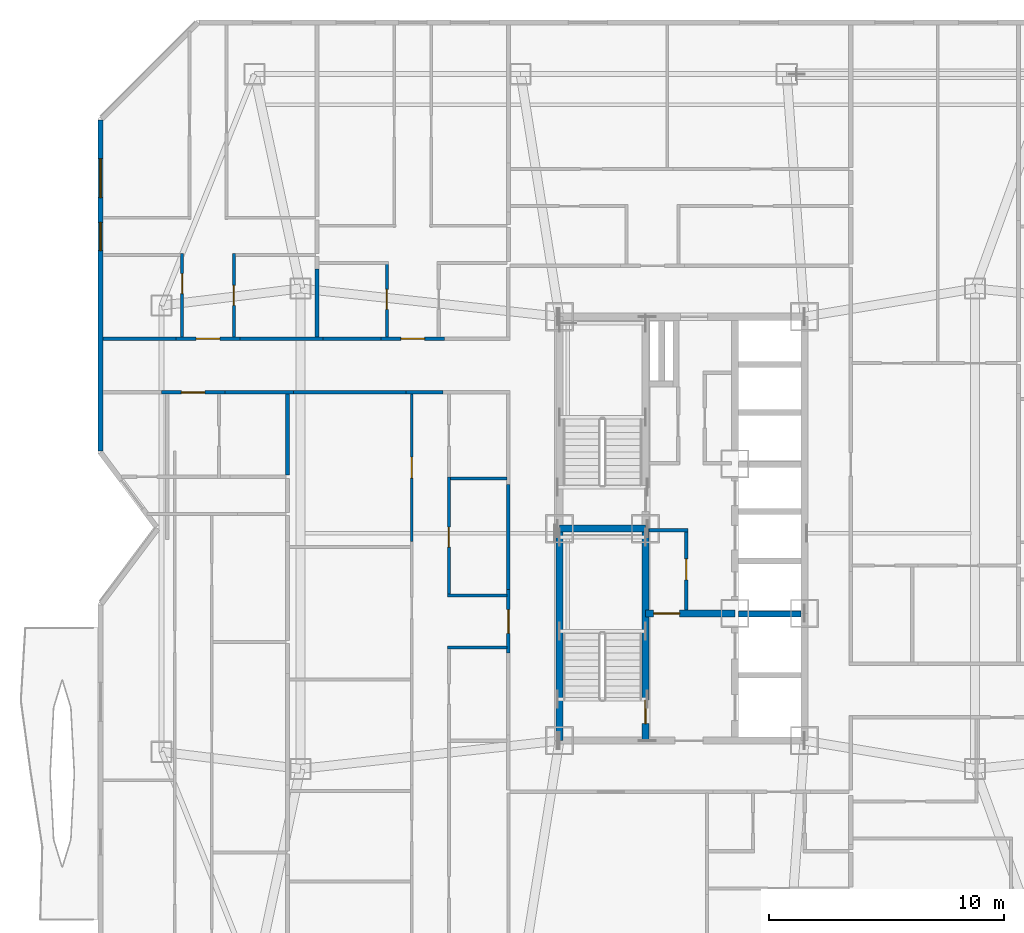
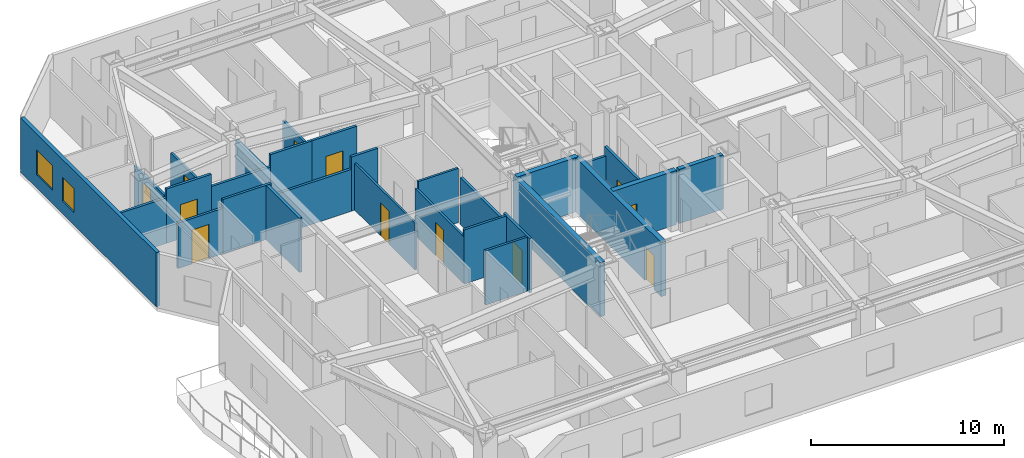
# One storey, part 9 of 16: 29 walls, 12 doors, 2 windows, 14 openings.
"""IFC4 building model written with IfcOpenShell, lengths in metres."""

from ifc_helpers import new_model, si_unit, direction, frame, frame_2d, origin, place, context, subcontext, project, spatial, rectangle, extrude, material, layer, layer_set, type_object, element, fill, save


model = new_model("IFC4")

# Units and contexts
model_context = context("Model", 3, precision=1e-05, world=origin(), true_north=direction((0.0, 1.0)))
body_context = subcontext(model_context, "Body", "Model", "MODEL_VIEW")
ifc_project = project(units=[si_unit("LENGTHUNIT", "METRE"), si_unit("AREAUNIT", "SQUARE_METRE"), si_unit("VOLUMEUNIT", "CUBIC_METRE"), si_unit("PLANEANGLEUNIT", "RADIAN"), si_unit("MASSUNIT", "GRAM", prefix="KILO")], contexts=[model_context])

# Site, building, storey
site_placement = place(None, origin())
site = spatial("IfcSite", under=ifc_project, at=site_placement, CompositionType="ELEMENT")
building_placement = place(site_placement, origin())
building = spatial("IfcBuilding", under=site, at=building_placement, Name="Khamvora Tower", CompositionType="ELEMENT")
storey_placement = place(building_placement, frame((0.0, 0.0, 134.75)))
storey = spatial("IfcBuildingStorey", under=building, at=storey_placement, Name="L34", CompositionType="ELEMENT", Elevation=134.75)

# Wall
ifc_material_1 = material(Name="Concrete C50/60", Category="concrete")
ifc_layer_1 = layer(ifc_material_1, 0.300048828125)
ifc_layer_set_1 = layer_set([ifc_layer_1], Name="Concrete C50/60")
wall_type_1 = type_object("IfcWallType", Name="WAL-CORE-300", PredefinedType="SHEAR", material=ifc_layer_set_1)
wall_1_placement = place(storey_placement, frame((29.0, 19.0, 0.0), z_axis=(0.0, 0.0, 1.0), x_axis=(0.0, 1.0, 0.0)))
element("IfcWall", 1, at=wall_1_placement, inside=storey, type_object=wall_type_1, Name="L34 central core west south wall", PredefinedType="SHEAR", context=body_context, shape_type="SweptSolid", body=[
    extrude(rectangle(XDim=9.0, YDim=0.300048828125, at=frame_2d((4.5, 0.0))), origin(), (0.0, 0.0, 1.0), 3.429931640625),
])

# Wall, opening, door
wall_2_placement = place(storey_placement, frame((32.64990234375, 19.0, 0.0), z_axis=(0.0, 0.0, 1.0), x_axis=(0.0, 1.0, 0.0)))
wall_2 = element("IfcWall", 2, at=wall_2_placement, inside=storey, type_object=wall_type_1, Name="L34 central core stair south spine wall", PredefinedType="SHEAR", context=body_context, shape_type="SweptSolid", body=[
    extrude(rectangle(XDim=9.0, YDim=0.300048828125, at=frame_2d((4.5, 0.0))), origin(), (0.0, 0.0, 1.0), 3.429931640625),
])
opening_1_placement = place(wall_2_placement, frame((0.719970703125, 0.0, 0.0)))
opening_1 = element("IfcOpeningElement", 3, at=opening_1_placement, cuts=wall_2, Name="Opening D-ST1", PredefinedType="OPENING", context=body_context, shape_type="SweptSolid", body=[
    extrude(rectangle(XDim=1.0, YDim=2.14990234375, at=frame_2d((0.5, 1.074951171875))), frame((0.0, 0.159912109375, 0.0), z_axis=(0.0, -1.0, 0.0), x_axis=(1.0, 0.0, 0.0)), (0.0, 0.0, 1.0), 0.320068359375),
])
ifc_material_2 = material(Name="Powder-Coated Steel and Hardwood Leaf", Category="steel")
door_type_1 = type_object("IfcDoorType", Name="DOR-STAIR-1000", OperationType="NOTDEFINED", PredefinedType="DOOR", material=ifc_material_2)
door_1_placement = place(opening_1_placement, origin())
door_1 = element("IfcDoor", 4, at=door_1_placement, inside=storey, type_object=door_type_1, Name="L34 exit stair ST-01 fire door", OperationType="SINGLE_SWING_RIGHT", OverallHeight=2.14990234375, OverallWidth=1.0, PredefinedType="DOOR", context=body_context, shape_type="SweptSolid", body=[
    extrude(rectangle(XDim=1.0, YDim=2.14990234375, at=frame_2d((0.5, 1.074951171875))), frame((0.0, 0.02490234375, 0.0), z_axis=(0.0, -1.0, 0.0), x_axis=(1.0, 0.0, 0.0)), (0.0, 0.0, 1.0), 0.050048828125),
])
fill(opening_1, door_1)

# Wall
wall_3_placement = place(storey_placement, frame((29.0, 28.0, 0.0), z_axis=(0.0, 0.0, 1.0), x_axis=(1.0, 0.0, 0.0)))
element("IfcWall", 5, at=wall_3_placement, inside=storey, type_object=wall_type_1, Name="L34 central core stair cross wall", PredefinedType="SHEAR", context=body_context, shape_type="SweptSolid", body=[
    extrude(rectangle(XDim=3.64990234375, YDim=0.300048828125, at=frame_2d((1.824951171875, 0.0))), origin(), (0.0, 0.0, 1.0), 3.429931640625),
])

# Wall, opening, door
wall_4_placement = place(storey_placement, frame((32.64990234375, 24.39990234375, 0.0), z_axis=(0.0, 0.0, 1.0), x_axis=(1.0, 0.0, 0.0)))
wall_4 = element("IfcWall", 6, at=wall_4_placement, inside=storey, type_object=wall_type_1, Name="L34 central core firefighting lobby north wall", PredefinedType="SHEAR", context=body_context, shape_type="SweptSolid", body=[
    extrude(rectangle(XDim=3.800048828125, YDim=0.300048828125, at=frame_2d((1.89990234375, 0.0))), origin(), (0.0, 0.0, 1.0), 3.429931640625),
])
opening_2_placement = place(wall_4_placement, frame((0.35009765625, 0.0, 0.0)))
opening_2 = element("IfcOpeningElement", 7, at=opening_2_placement, cuts=wall_4, Name="Opening D-FF1", PredefinedType="OPENING", context=body_context, shape_type="SweptSolid", body=[
    extrude(rectangle(XDim=1.10009765625, YDim=2.14990234375, at=frame_2d((0.550048828125, 1.074951171875))), frame((0.0, 0.159912109375, 0.0), z_axis=(0.0, -1.0, 0.0), x_axis=(1.0, 0.0, 0.0)), (0.0, 0.0, 1.0), 0.320068359375),
])
door_type_2 = type_object("IfcDoorType", Name="DOR-FFLOB-1100", OperationType="NOTDEFINED", PredefinedType="DOOR", material=ifc_material_2)
door_2_placement = place(opening_2_placement, origin())
door_2 = element("IfcDoor", 8, at=door_2_placement, inside=storey, type_object=door_type_2, Name="L34 firefighting lobby smoke-seal fire door", OperationType="SINGLE_SWING_LEFT", OverallHeight=2.14990234375, OverallWidth=1.10009765625, PredefinedType="DOOR", context=body_context, shape_type="SweptSolid", body=[
    extrude(rectangle(XDim=1.10009765625, YDim=2.14990234375, at=frame_2d((0.550048828125, 1.074951171875))), frame((0.0, 0.02490234375, 0.0), z_axis=(0.0, -1.0, 0.0), x_axis=(1.0, 0.0, 0.0)), (0.0, 0.0, 1.0), 0.050048828125),
])
fill(opening_2, door_2)

ifc_material_3 = material(Name="Fire-Rated Drywall and Steel Stud", Category="steel")
ifc_layer_2 = layer(ifc_material_3, 0.14990234375)
ifc_layer_set_2 = layer_set([ifc_layer_2], Name="Fire-Rated Drywall and Steel Stud")
wall_type_2 = type_object("IfcWallType", Name="WAL-CORR-150", PredefinedType="STANDARD", material=ifc_layer_set_2)
wall_5_placement = place(storey_placement, frame((34.385009765625, 24.5439453125, 0.0), z_axis=(0.0, 0.0, 1.0), x_axis=(0.0, 1.0, 0.0)))
wall_5 = element("IfcWall", 9, at=wall_5_placement, inside=storey, type_object=wall_type_2, Name="L34 interior partition wall 006", PredefinedType="STANDARD", context=body_context, shape_type="SweptSolid", body=[
    extrude(rectangle(XDim=3.4560546875, YDim=0.14990234375, at=frame_2d((1.72802734375, 0.0))), origin(), (0.0, 0.0, 1.0), 3.429931640625),
])
opening_3_placement = place(wall_5_placement, frame((1.278076171875, 0.0, 0.0)))
opening_3 = element("IfcOpeningElement", 10, at=opening_3_placement, cuts=wall_5, Name="Opening D-RM1", PredefinedType="OPENING", context=body_context, shape_type="SweptSolid", body=[
    extrude(rectangle(XDim=0.89990234375, YDim=2.10009765625, at=frame_2d((0.449951171875, 1.050048828125))), frame((0.0, 0.0849609375, 0.0), z_axis=(0.0, -1.0, 0.0), x_axis=(1.0, 0.0, 0.0)), (0.0, 0.0, 1.0), 0.169921875),
])
door_type_3 = type_object("IfcDoorType", Name="DOR-ROOM-900", OperationType="NOTDEFINED", PredefinedType="DOOR", material=ifc_material_2)
door_3_placement = place(opening_3_placement, origin())
door_3 = element("IfcDoor", 11, at=door_3_placement, inside=storey, type_object=door_type_3, Name="L34 interior door PLL-CS3", OperationType="SINGLE_SWING_RIGHT", OverallHeight=2.10009765625, OverallWidth=0.89990234375, PredefinedType="DOOR", context=body_context, shape_type="SweptSolid", body=[
    extrude(rectangle(XDim=0.89990234375, YDim=2.10009765625, at=frame_2d((0.449951171875, 1.050048828125))), frame((0.0, 0.02490234375, 0.0), z_axis=(0.0, -1.0, 0.0), x_axis=(1.0, 0.0, 0.0)), (0.0, 0.0, 1.0), 0.050048828125),
])
fill(opening_3, door_3)

# Wall
wall_6_placement = place(storey_placement, frame((34.449951171875, 27.93505859375, 0.0), z_axis=(0.0, 0.0, 1.0), x_axis=(-1.0, 0.0, 0.0)))
element("IfcWall", 12, at=wall_6_placement, inside=storey, type_object=wall_type_2, Name="L34 interior partition wall 007", PredefinedType="STANDARD", context=body_context, shape_type="SweptSolid", body=[
    extrude(rectangle(XDim=1.656005859375, YDim=0.14990234375, at=frame_2d((0.828125, 0.0))), origin(), (0.0, 0.0, 1.0), 2.886962890625),
])

# Wall, opening, door
wall_7_placement = place(storey_placement, frame((14.7958984375, 33.784912109375, 0.0), z_axis=(0.0, 0.0, 1.0), x_axis=(-1.0, 0.0, 0.0)))
wall_7 = element("IfcWall", 13, at=wall_7_placement, inside=storey, type_object=wall_type_2, Name="L34 interior partition wall 009", PredefinedType="STANDARD", context=body_context, shape_type="SweptSolid", body=[
    extrude(rectangle(XDim=2.697998046875, YDim=0.14990234375, at=frame_2d((1.34912109375, 0.0))), origin(), (0.0, 0.0, 1.0), 2.8759765625),
])
opening_4_placement = place(wall_7_placement, frame((0.84912109375, 0.0, 0.0)))
opening_4 = element("IfcOpeningElement", 14, at=opening_4_placement, cuts=wall_7, Name="Opening D-U1", PredefinedType="OPENING", context=body_context, shape_type="SweptSolid", body=[
    extrude(rectangle(XDim=1.0, YDim=2.14990234375, at=frame_2d((0.5, 1.074951171875))), frame((0.0, 0.0849609375, 0.0), z_axis=(0.0, -1.0, 0.0), x_axis=(1.0, 0.0, 0.0)), (0.0, 0.0, 1.0), 0.169921875),
])
door_type_4 = type_object("IfcDoorType", Name="DOR-UNIT-1000", OperationType="NOTDEFINED", PredefinedType="DOOR", material=ifc_material_2)
door_4_placement = place(opening_4_placement, origin())
door_4 = element("IfcDoor", 15, at=door_4_placement, inside=storey, type_object=door_type_4, Name="L34 interior door COR-34WA1H", OperationType="SINGLE_SWING_RIGHT", OverallHeight=2.14990234375, OverallWidth=1.0, PredefinedType="DOOR", context=body_context, shape_type="SweptSolid", body=[
    extrude(rectangle(XDim=1.0, YDim=2.14990234375, at=frame_2d((0.5, 1.074951171875))), frame((0.0, 0.02490234375, 0.0), z_axis=(0.0, -1.0, 0.0), x_axis=(1.0, 0.0, 0.0)), (0.0, 0.0, 1.0), 0.050048828125),
])
fill(opening_4, door_4)

# Wall
wall_8_placement = place(storey_placement, frame((17.698974609375, 33.784912109375, 0.0), z_axis=(0.0, 0.0, 1.0), x_axis=(-1.0, 0.0, 0.0)))
element("IfcWall", 16, at=wall_8_placement, inside=storey, type_object=wall_type_2, Name="L34 interior partition wall 011", PredefinedType="STANDARD", context=body_context, shape_type="SweptSolid", body=[
    extrude(rectangle(XDim=2.903076171875, YDim=0.14990234375, at=frame_2d((1.45166015625, 0.0))), origin(), (0.0, 0.0, 1.0), 3.429931640625),
])

# Wall, opening, door
wall_9_placement = place(storey_placement, frame((26.8349609375, 22.7099609375, 0.0), z_axis=(0.0, 0.0, 1.0), x_axis=(0.0, 1.0, 0.0)))
wall_9 = element("IfcWall", 17, at=wall_9_placement, inside=storey, type_object=wall_type_2, Name="L34 interior partition wall 015", PredefinedType="STANDARD", context=body_context, shape_type="SweptSolid", body=[
    extrude(rectangle(XDim=2.697998046875, YDim=0.14990234375, at=frame_2d((1.34912109375, 0.0))), origin(), (0.0, 0.0, 1.0), 3.429931640625),
])
opening_5_placement = place(wall_9_placement, frame((0.84912109375, 0.0, 0.0)))
opening_5 = element("IfcOpeningElement", 18, at=opening_5_placement, cuts=wall_9, Name="Opening D-U1", PredefinedType="OPENING", context=body_context, shape_type="SweptSolid", body=[
    extrude(rectangle(XDim=1.0, YDim=2.14990234375, at=frame_2d((0.5, 1.074951171875))), frame((0.0, 0.0849609375, 0.0), z_axis=(0.0, -1.0, 0.0), x_axis=(1.0, 0.0, 0.0)), (0.0, 0.0, 1.0), 0.169921875),
])
door_5_placement = place(opening_5_placement, origin())
door_5 = element("IfcDoor", 19, at=door_5_placement, inside=storey, type_object=door_type_4, Name="L34 interior door COR-34WA2H", OperationType="SINGLE_SWING_LEFT", OverallHeight=2.14990234375, OverallWidth=1.0, PredefinedType="DOOR", context=body_context, shape_type="SweptSolid", body=[
    extrude(rectangle(XDim=1.0, YDim=2.14990234375, at=frame_2d((0.5, 1.074951171875))), frame((0.0, 0.02490234375, 0.0), z_axis=(0.0, -1.0, 0.0), x_axis=(1.0, 0.0, 0.0)), (0.0, 0.0, 1.0), 0.050048828125),
])
fill(opening_5, door_5)

# Walls
wall_10_placement = place(storey_placement, frame((24.055908203125, 33.784912109375, 0.0), z_axis=(0.0, 0.0, 1.0), x_axis=(-1.0, 0.0, 0.0)))
element("IfcWall", 20, at=wall_10_placement, inside=storey, type_object=wall_type_2, Name="L34 interior partition wall 016", PredefinedType="STANDARD", context=body_context, shape_type="SweptSolid", body=[
    extrude(rectangle(XDim=1.579833984375, YDim=0.14990234375, at=frame_2d((0.7900390625, 0.0))), origin(), (0.0, 0.0, 1.0), 3.429931640625),
])
wall_11_placement = place(storey_placement, frame((26.8349609375, 25.407958984375, 0.0), z_axis=(0.0, 0.0, 1.0), x_axis=(0.0, 1.0, 0.0)))
element("IfcWall", 21, at=wall_11_placement, inside=storey, type_object=wall_type_2, Name="L34 interior partition wall 018", PredefinedType="STANDARD", context=body_context, shape_type="SweptSolid", body=[
    extrude(rectangle(XDim=4.467041015625, YDim=0.14990234375, at=frame_2d((2.2333984375, 0.0))), origin(), (0.0, 0.0, 1.0), 2.9609375),
])
wall_12_placement = place(storey_placement, frame((22.47607421875, 33.784912109375, 0.0), z_axis=(0.0, 0.0, 1.0), x_axis=(-1.0, 0.0, 0.0)))
element("IfcWall", 22, at=wall_12_placement, inside=storey, type_object=wall_type_2, Name="L34 interior partition wall 019", PredefinedType="STANDARD", context=body_context, shape_type="SweptSolid", body=[
    extrude(rectangle(XDim=4.777099609375, YDim=0.14990234375, at=frame_2d((2.388671875, 0.0))), origin(), (0.0, 0.0, 1.0), 2.64697265625),
])

# Wall, opening, door
wall_13_placement = place(storey_placement, frame((12.72607421875, 36.06494140625, 0.0), z_axis=(0.0, 0.0, 1.0), x_axis=(1.0, 0.0, 0.0)))
wall_13 = element("IfcWall", 23, at=wall_13_placement, inside=storey, type_object=wall_type_2, Name="L34 interior partition wall 020", PredefinedType="STANDARD", context=body_context, shape_type="SweptSolid", body=[
    extrude(rectangle(XDim=2.697998046875, YDim=0.14990234375, at=frame_2d((1.34912109375, 0.0))), origin(), (0.0, 0.0, 1.0), 3.429931640625),
])
opening_6_placement = place(wall_13_placement, frame((0.84912109375, 0.0, 0.0)))
opening_6 = element("IfcOpeningElement", 24, at=opening_6_placement, cuts=wall_13, Name="Opening D-U1", PredefinedType="OPENING", context=body_context, shape_type="SweptSolid", body=[
    extrude(rectangle(XDim=1.0, YDim=2.14990234375, at=frame_2d((0.5, 1.074951171875))), frame((0.0, 0.0849609375, 0.0), z_axis=(0.0, -1.0, 0.0), x_axis=(1.0, 0.0, 0.0)), (0.0, 0.0, 1.0), 0.169921875),
])
door_6_placement = place(opening_6_placement, origin())
door_6 = element("IfcDoor", 25, at=door_6_placement, inside=storey, type_object=door_type_4, Name="L34 interior door COR-34WBH", OperationType="SINGLE_SWING_RIGHT", OverallHeight=2.14990234375, OverallWidth=1.0, PredefinedType="DOOR", context=body_context, shape_type="SweptSolid", body=[
    extrude(rectangle(XDim=1.0, YDim=2.14990234375, at=frame_2d((0.5, 1.074951171875))), frame((0.0, 0.02490234375, 0.0), z_axis=(0.0, -1.0, 0.0), x_axis=(1.0, 0.0, 0.0)), (0.0, 0.0, 1.0), 0.050048828125),
])
fill(opening_6, door_6)

# Walls
wall_14_placement = place(storey_placement, frame((9.612060546875, 36.06494140625, 0.0), z_axis=(0.0, 0.0, 1.0), x_axis=(1.0, 0.0, 0.0)))
element("IfcWall", 26, at=wall_14_placement, inside=storey, type_object=wall_type_2, Name="L34 interior partition wall 021", PredefinedType="STANDARD", context=body_context, shape_type="SweptSolid", body=[
    extrude(rectangle(XDim=3.114013671875, YDim=0.14990234375, at=frame_2d((1.55712890625, 0.0))), origin(), (0.0, 0.0, 1.0), 2.8759765625),
])
wall_15_placement = place(storey_placement, frame((15.424072265625, 36.06494140625, 0.0), z_axis=(0.0, 0.0, 1.0), x_axis=(1.0, 0.0, 0.0)))
element("IfcWall", 27, at=wall_15_placement, inside=storey, type_object=wall_type_2, Name="L34 interior partition wall 022", PredefinedType="STANDARD", context=body_context, shape_type="SweptSolid", body=[
    extrude(rectangle(XDim=3.530029296875, YDim=0.14990234375, at=frame_2d((1.76513671875, 0.0))), origin(), (0.0, 0.0, 1.0), 2.64697265625),
])

# Wall, opening, door
wall_16_placement = place(storey_placement, frame((21.4208984375, 36.06494140625, 0.0), z_axis=(0.0, 0.0, 1.0), x_axis=(1.0, 0.0, 0.0)))
wall_16 = element("IfcWall", 28, at=wall_16_placement, inside=storey, type_object=wall_type_2, Name="L34 interior partition wall 023", PredefinedType="STANDARD", context=body_context, shape_type="SweptSolid", body=[
    extrude(rectangle(XDim=2.697998046875, YDim=0.14990234375, at=frame_2d((1.34912109375, 0.0))), origin(), (0.0, 0.0, 1.0), 3.429931640625),
])
opening_7_placement = place(wall_16_placement, frame((0.84912109375, 0.0, 0.0)))
opening_7 = element("IfcOpeningElement", 29, at=opening_7_placement, cuts=wall_16, Name="Opening D-U1", PredefinedType="OPENING", context=body_context, shape_type="SweptSolid", body=[
    extrude(rectangle(XDim=1.0, YDim=2.14990234375, at=frame_2d((0.5, 1.074951171875))), frame((0.0, 0.0849609375, 0.0), z_axis=(0.0, -1.0, 0.0), x_axis=(1.0, 0.0, 0.0)), (0.0, 0.0, 1.0), 0.169921875),
])
door_7_placement = place(opening_7_placement, origin())
door_7 = element("IfcDoor", 30, at=door_7_placement, inside=storey, type_object=door_type_4, Name="L34 interior door COR-34WCH", OperationType="SINGLE_SWING_LEFT", OverallHeight=2.14990234375, OverallWidth=1.0, PredefinedType="DOOR", context=body_context, shape_type="SweptSolid", body=[
    extrude(rectangle(XDim=1.0, YDim=2.14990234375, at=frame_2d((0.5, 1.074951171875))), frame((0.0, 0.02490234375, 0.0), z_axis=(0.0, -1.0, 0.0), x_axis=(1.0, 0.0, 0.0)), (0.0, 0.0, 1.0), 0.050048828125),
])
fill(opening_7, door_7)

# Walls
wall_17_placement = place(storey_placement, frame((18.9541015625, 36.06494140625, 0.0), z_axis=(0.0, 0.0, 1.0), x_axis=(1.0, 0.0, 0.0)))
element("IfcWall", 31, at=wall_17_placement, inside=storey, type_object=wall_type_2, Name="L34 interior partition wall 024", PredefinedType="STANDARD", context=body_context, shape_type="SweptSolid", body=[
    extrude(rectangle(XDim=2.466796875, YDim=0.14990234375, at=frame_2d((1.2333984375, 0.0))), origin(), (0.0, 0.0, 1.0), 3.429931640625),
])
ifc_material_4 = material(Name="Acoustic Double-Stud Fire Wall", Category="gypsum")
ifc_layer_3 = layer(ifc_material_4, 0.179931640625)
ifc_layer_set_3 = layer_set([ifc_layer_3], Name="Acoustic Double-Stud Fire Wall")
wall_type_3 = type_object("IfcWallType", Name="WAL-CORR-180", PredefinedType="STANDARD", material=ifc_layer_set_3)
wall_18_placement = place(storey_placement, frame((17.449951171875, 33.718017578125, 0.0), z_axis=(0.0, 0.0, 1.0), x_axis=(0.0, -1.0, 0.0)))
element("IfcWall", 32, at=wall_18_placement, inside=storey, type_object=wall_type_3, Name="L34 interior partition wall 061", PredefinedType="STANDARD", context=body_context, shape_type="SweptSolid", body=[
    extrude(rectangle(XDim=3.447998046875, YDim=0.179931640625, at=frame_2d((1.72412109375, 0.0))), origin(), (0.0, 0.0, 1.0), 3.429931640625),
])
wall_19_placement = place(storey_placement, frame((18.705078125, 39.031005859375, 0.0), z_axis=(0.0, 0.0, 1.0), x_axis=(0.0, -1.0, 0.0)))
element("IfcWall", 33, at=wall_19_placement, inside=storey, type_object=wall_type_3, Name="L34 interior partition wall 099", PredefinedType="STANDARD", context=body_context, shape_type="SweptSolid", body=[
    extrude(rectangle(XDim=2.901123046875, YDim=0.179931640625, at=frame_2d((1.45068359375, 0.0))), origin(), (0.0, 0.0, 1.0), 2.64697265625),
])

# Wall, openings, windows
ifc_material_5 = material(Name="Precast concrete C40/50", Category="concrete")
ifc_layer_4 = layer(ifc_material_5, 0.219970703125)
ifc_layer_set_4 = layer_set([ifc_layer_4], Name="Precast concrete C40/50")
wall_type_4 = type_object("IfcWallType", Name="WAL-EXT-220", PredefinedType="STANDARD", material=ifc_layer_set_4)
wall_20_placement = place(storey_placement, frame((9.510009765625, 31.29296875, 0.0), z_axis=(0.0, 0.0, 1.0), x_axis=(0.0, 1.0, 0.0)))
wall_20 = element("IfcWall", 34, at=wall_20_placement, inside=storey, type_object=wall_type_4, Name="L34 exterior facade wall 05.1", PredefinedType="STANDARD", context=body_context, shape_type="SweptSolid", body=[
    extrude(rectangle(XDim=14.06103515625, YDim=0.219970703125, at=frame_2d((7.030517578125, 0.0))), origin(), (0.0, 0.0, 1.0), 3.429931640625),
])
opening_8_placement = place(wall_20_placement, frame((8.51708984375, 0.0, 0.800048828125)))
opening_8 = element("IfcOpeningElement", 35, at=opening_8_placement, cuts=wall_20, Name="Opening WN-03", PredefinedType="OPENING", context=body_context, shape_type="SweptSolid", body=[
    extrude(rectangle(XDim=1.199951171875, YDim=1.5, at=frame_2d((0.60009765625, 0.75))), frame((0.0, 0.119873046875, 0.0), z_axis=(0.0, -1.0, 0.0), x_axis=(1.0, 0.0, 0.0)), (0.0, 0.0, 1.0), 0.239990234375),
])
opening_9_placement = place(wall_20_placement, frame((10.76611328125, 0.0, 0.85009765625)))
opening_9 = element("IfcOpeningElement", 36, at=opening_9_placement, cuts=wall_20, Name="Opening WN-06", PredefinedType="OPENING", context=body_context, shape_type="SweptSolid", body=[
    extrude(rectangle(XDim=1.64990234375, YDim=1.550048828125, at=frame_2d((0.824951171875, 0.77490234375))), frame((0.0, 0.119873046875, 0.0), z_axis=(0.0, -1.0, 0.0), x_axis=(1.0, 0.0, 0.0)), (0.0, 0.0, 1.0), 0.239990234375),
])
ifc_material_6 = material(Name="Low-E Laminated Double Glazing", Category="glass")
window_type_1 = type_object("IfcWindowType", Name="WIN-VIS-1200x1500", PartitioningType="SINGLE_PANEL", PredefinedType="WINDOW", material=ifc_material_6)
window_1_placement = place(opening_8_placement, origin())
window_1 = element("IfcWindow", 37, at=window_1_placement, inside=storey, type_object=window_type_1, Name="L34 vision window 05.1.01", OverallHeight=1.5, OverallWidth=1.199951171875, PartitioningType="SINGLE_PANEL", PredefinedType="WINDOW", context=body_context, shape_type="SweptSolid", body=[
    extrude(rectangle(XDim=1.199951171875, YDim=1.5, at=frame_2d((0.60009765625, 0.75))), frame((0.0, 0.030029296875, 0.0), z_axis=(0.0, -1.0, 0.0), x_axis=(1.0, 0.0, 0.0)), (0.0, 0.0, 1.0), 0.06005859375),
])
fill(opening_8, window_1)
window_type_2 = type_object("IfcWindowType", Name="WIN-VIS-1650x1550", PartitioningType="SINGLE_PANEL", PredefinedType="WINDOW", material=ifc_material_6)
window_2_placement = place(opening_9_placement, origin())
window_2 = element("IfcWindow", 38, at=window_2_placement, inside=storey, type_object=window_type_2, Name="L34 vision window 05.1.02", OverallHeight=1.550048828125, OverallWidth=1.64990234375, PartitioningType="SINGLE_PANEL", PredefinedType="WINDOW", context=body_context, shape_type="SweptSolid", body=[
    extrude(rectangle(XDim=1.64990234375, YDim=1.550048828125, at=frame_2d((0.824951171875, 0.77490234375))), frame((0.0, 0.030029296875, 0.0), z_axis=(0.0, -1.0, 0.0), x_axis=(1.0, 0.0, 0.0)), (0.0, 0.0, 1.0), 0.06005859375),
])
fill(opening_9, window_2)

# Wall, opening, door
ifc_material_7 = material(Name="Gypsum Plasterboard Partition", Category="gypsum")
ifc_layer_5 = layer(ifc_material_7, 0.1201171875)
ifc_layer_set_5 = layer_set([ifc_layer_5], Name="Gypsum Plasterboard Partition")
wall_type_5 = type_object("IfcWallType", Name="WAL-PART-120", PredefinedType="PARTITIONING", material=ifc_layer_set_5)
wall_21_placement = place(storey_placement, frame((22.72509765625, 27.465087890625, 0.0), z_axis=(0.0, 0.0, 1.0), x_axis=(0.0, 1.0, 0.0)))
wall_21 = element("IfcWall", 39, at=wall_21_placement, inside=storey, type_object=wall_type_5, Name="L34 interior partition wall 084", PredefinedType="PARTITIONING", context=body_context, shape_type="SweptSolid", body=[
    extrude(rectangle(XDim=6.2529296875, YDim=0.1201171875, at=frame_2d((3.12646484375, 0.0))), origin(), (0.0, 0.0, 1.0), 2.9609375),
])
opening_10_placement = place(wall_21_placement, frame((2.676025390625, 0.0, 0.0)))
opening_10 = element("IfcOpeningElement", 40, at=opening_10_placement, cuts=wall_21, Name="Opening D-RM1", PredefinedType="OPENING", context=body_context, shape_type="SweptSolid", body=[
    extrude(rectangle(XDim=0.89990234375, YDim=2.10009765625, at=frame_2d((0.449951171875, 1.050048828125))), frame((0.0, 0.070068359375, 0.0), z_axis=(0.0, -1.0, 0.0), x_axis=(1.0, 0.0, 0.0)), (0.0, 0.0, 1.0), 0.14013671875),
])
door_8_placement = place(opening_10_placement, origin())
door_8 = element("IfcDoor", 41, at=door_8_placement, inside=storey, type_object=door_type_3, Name="L34 interior door 34WA2H-34WA2R5", OperationType="SINGLE_SWING_LEFT", OverallHeight=2.10009765625, OverallWidth=0.89990234375, PredefinedType="DOOR", context=body_context, shape_type="SweptSolid", body=[
    extrude(rectangle(XDim=0.89990234375, YDim=2.10009765625, at=frame_2d((0.449951171875, 1.050048828125))), frame((0.0, 0.02490234375, 0.0), z_axis=(0.0, -1.0, 0.0), x_axis=(1.0, 0.0, 0.0)), (0.0, 0.0, 1.0), 0.050048828125),
])
fill(opening_10, door_8)

# Walls
ifc_material_8 = material(Name="Concrete C40/50", Category="concrete")
ifc_layer_6 = layer(ifc_material_8, 0.25)
ifc_layer_set_6 = layer_set([ifc_layer_6], Name="Concrete C40/50")
wall_type_6 = type_object("IfcWallType", Name="WAL-PODS-250", PredefinedType="SHEAR", material=ifc_layer_set_6)
wall_22_placement = place(storey_placement, frame((36.60400390625, 24.375, 0.0), z_axis=(0.0, 0.0, 1.0), x_axis=(1.0, 0.0, 0.0)))
element("IfcWall", 42, at=wall_22_placement, inside=storey, type_object=wall_type_6, Name="L34 lift shaft divider wall FFL-02", PredefinedType="SHEAR", context=body_context, shape_type="SweptSolid", body=[
    extrude(rectangle(XDim=2.64208984375, YDim=0.25, at=frame_2d((1.321044921875, 0.0))), origin(), (0.0, 0.0, 1.0), 3.429931640625),
])
ifc_material_9 = material(Name="Moisture-Resistant Plasterboard Partition", Category="gypsum")
ifc_layer_7 = layer(ifc_material_9, 0.135009765625)
ifc_layer_set_7 = layer_set([ifc_layer_7], Name="Moisture-Resistant Plasterboard Partition")
wall_type_7 = type_object("IfcWallType", Name="WAL-WET-135", PredefinedType="PARTITIONING", material=ifc_layer_set_7)
wall_23_placement = place(storey_placement, frame((26.77001953125, 30.1240234375, 0.0), z_axis=(0.0, 0.0, 1.0), x_axis=(-1.0, 0.0, 0.0)))
element("IfcWall", 43, at=wall_23_placement, inside=storey, type_object=wall_type_7, Name="L34 interior partition wall 075", PredefinedType="PARTITIONING", context=body_context, shape_type="SweptSolid", body=[
    extrude(rectangle(XDim=2.39990234375, YDim=0.135009765625, at=frame_2d((1.199951171875, 0.0))), origin(), (0.0, 0.0, 1.0), 3.429931640625),
])
wall_24_placement = place(storey_placement, frame((26.77001953125, 22.958984375, 0.0), z_axis=(0.0, 0.0, 1.0), x_axis=(-1.0, 0.0, 0.0)))
element("IfcWall", 44, at=wall_24_placement, inside=storey, type_object=wall_type_7, Name="L34 interior partition wall 076", PredefinedType="PARTITIONING", context=body_context, shape_type="SweptSolid", body=[
    extrude(rectangle(XDim=2.530029296875, YDim=0.135009765625, at=frame_2d((1.26513671875, 0.0))), origin(), (0.0, 0.0, 1.0), 3.429931640625),
])

# Wall, opening, door
wall_25_placement = place(storey_placement, frame((24.304931640625, 30.18896484375, 0.0), z_axis=(0.0, 0.0, 1.0), x_axis=(0.0, -1.0, 0.0)))
wall_25 = element("IfcWall", 45, at=wall_25_placement, inside=storey, type_object=wall_type_7, Name="L34 interior partition wall 078", PredefinedType="PARTITIONING", context=body_context, shape_type="SweptSolid", body=[
    extrude(rectangle(XDim=5.094970703125, YDim=0.135009765625, at=frame_2d((2.54736328125, 0.0))), origin(), (0.0, 0.0, 1.0), 2.9609375),
])
opening_11_placement = place(wall_25_placement, frame((2.123046875, 0.0, 0.0)))
opening_11 = element("IfcOpeningElement", 46, at=opening_11_placement, cuts=wall_25, Name="Opening D-RM2", PredefinedType="OPENING", context=body_context, shape_type="SweptSolid", body=[
    extrude(rectangle(XDim=0.85009765625, YDim=2.10009765625, at=frame_2d((0.425048828125, 1.050048828125))), frame((0.0, 0.077392578125, 0.0), z_axis=(0.0, -1.0, 0.0), x_axis=(1.0, 0.0, 0.0)), (0.0, 0.0, 1.0), 0.155029296875),
])
door_type_5 = type_object("IfcDoorType", Name="DOR-ROOM-850", OperationType="NOTDEFINED", PredefinedType="DOOR", material=ifc_material_2)
door_9_placement = place(opening_11_placement, origin())
door_9 = element("IfcDoor", 47, at=door_9_placement, inside=storey, type_object=door_type_5, Name="L34 interior door 34WA2H-34WA2K", OperationType="SINGLE_SWING_RIGHT", OverallHeight=2.10009765625, OverallWidth=0.85009765625, PredefinedType="DOOR", context=body_context, shape_type="SweptSolid", body=[
    extrude(rectangle(XDim=0.85009765625, YDim=2.10009765625, at=frame_2d((0.425048828125, 1.050048828125))), frame((0.0, 0.02490234375, 0.0), z_axis=(0.0, -1.0, 0.0), x_axis=(1.0, 0.0, 0.0)), (0.0, 0.0, 1.0), 0.050048828125),
])
fill(opening_11, door_9)

# Wall
wall_26_placement = place(storey_placement, frame((24.239990234375, 25.158935546875, 0.0), z_axis=(0.0, 0.0, 1.0), x_axis=(1.0, 0.0, 0.0)))
element("IfcWall", 48, at=wall_26_placement, inside=storey, type_object=wall_type_7, Name="L34 interior partition wall 079", PredefinedType="PARTITIONING", context=body_context, shape_type="SweptSolid", body=[
    extrude(rectangle(XDim=2.530029296875, YDim=0.135009765625, at=frame_2d((1.26513671875, 0.0))), origin(), (0.0, 0.0, 1.0), 3.429931640625),
])

# Wall, opening, door
wall_27_placement = place(storey_placement, frame((12.97509765625, 36.1298828125, 0.0), z_axis=(0.0, 0.0, 1.0), x_axis=(0.0, 1.0, 0.0)))
wall_27 = element("IfcWall", 49, at=wall_27_placement, inside=storey, type_object=wall_type_7, Name="L34 interior partition wall 089", PredefinedType="PARTITIONING", context=body_context, shape_type="SweptSolid", body=[
    extrude(rectangle(XDim=3.55517578125, YDim=0.135009765625, at=frame_2d((1.777587890625, 0.0))), origin(), (0.0, 0.0, 1.0), 2.64697265625),
])
opening_12_placement = place(wall_27_placement, frame((1.847900390625, 0.0, 0.0)))
opening_12 = element("IfcOpeningElement", 50, at=opening_12_placement, cuts=wall_27, Name="Opening D-WC1", PredefinedType="OPENING", context=body_context, shape_type="SweptSolid", body=[
    extrude(rectangle(XDim=0.85009765625, YDim=2.10009765625, at=frame_2d((0.425048828125, 1.050048828125))), frame((0.0, 0.077392578125, 0.0), z_axis=(0.0, -1.0, 0.0), x_axis=(1.0, 0.0, 0.0)), (0.0, 0.0, 1.0), 0.155029296875),
])
door_type_6 = type_object("IfcDoorType", Name="DOR-WET-850", OperationType="NOTDEFINED", PredefinedType="DOOR", material=ifc_material_2)
door_10_placement = place(opening_12_placement, origin())
door_10 = element("IfcDoor", 51, at=door_10_placement, inside=storey, type_object=door_type_6, Name="L34 interior door 34WBH-34WBB", OperationType="SINGLE_SWING_RIGHT", OverallHeight=2.10009765625, OverallWidth=0.85009765625, PredefinedType="DOOR", context=body_context, shape_type="SweptSolid", body=[
    extrude(rectangle(XDim=0.85009765625, YDim=2.10009765625, at=frame_2d((0.425048828125, 1.050048828125))), frame((0.0, 0.02490234375, 0.0), z_axis=(0.0, -1.0, 0.0), x_axis=(1.0, 0.0, 0.0)), (0.0, 0.0, 1.0), 0.050048828125),
])
fill(opening_12, door_10)

wall_28_placement = place(storey_placement, frame((15.175048828125, 39.68505859375, 0.0), z_axis=(0.0, 0.0, 1.0), x_axis=(0.0, -1.0, 0.0)))
wall_28 = element("IfcWall", 52, at=wall_28_placement, inside=storey, type_object=wall_type_7, Name="L34 interior partition wall 092", PredefinedType="PARTITIONING", context=body_context, shape_type="SweptSolid", body=[
    extrude(rectangle(XDim=3.55517578125, YDim=0.135009765625, at=frame_2d((1.777587890625, 0.0))), origin(), (0.0, 0.0, 1.0), 2.64697265625),
])
opening_13_placement = place(wall_28_placement, frame((1.35302734375, 0.0, 0.0)))
opening_13 = element("IfcOpeningElement", 53, at=opening_13_placement, cuts=wall_28, Name="Opening D-RM2", PredefinedType="OPENING", context=body_context, shape_type="SweptSolid", body=[
    extrude(rectangle(XDim=0.85009765625, YDim=2.10009765625, at=frame_2d((0.425048828125, 1.050048828125))), frame((0.0, 0.077392578125, 0.0), z_axis=(0.0, -1.0, 0.0), x_axis=(1.0, 0.0, 0.0)), (0.0, 0.0, 1.0), 0.155029296875),
])
door_11_placement = place(opening_13_placement, origin())
door_11 = element("IfcDoor", 54, at=door_11_placement, inside=storey, type_object=door_type_5, Name="L34 interior door 34WBH-34WBK", OperationType="SINGLE_SWING_LEFT", OverallHeight=2.10009765625, OverallWidth=0.85009765625, PredefinedType="DOOR", context=body_context, shape_type="SweptSolid", body=[
    extrude(rectangle(XDim=0.85009765625, YDim=2.10009765625, at=frame_2d((0.425048828125, 1.050048828125))), frame((0.0, 0.02490234375, 0.0), z_axis=(0.0, -1.0, 0.0), x_axis=(1.0, 0.0, 0.0)), (0.0, 0.0, 1.0), 0.050048828125),
])
fill(opening_13, door_11)

wall_29_placement = place(storey_placement, frame((21.669921875, 36.1298828125, 0.0), z_axis=(0.0, 0.0, 1.0), x_axis=(0.0, 1.0, 0.0)))
wall_29 = element("IfcWall", 55, at=wall_29_placement, inside=storey, type_object=wall_type_7, Name="L34 interior partition wall 101", PredefinedType="PARTITIONING", context=body_context, shape_type="SweptSolid", body=[
    extrude(rectangle(XDim=3.215087890625, YDim=0.135009765625, at=frame_2d((1.607421875, 0.0))), origin(), (0.0, 0.0, 1.0), 2.64697265625),
])
opening_14_placement = place(wall_29_placement, frame((1.181884765625, 0.0, 0.0)))
opening_14 = element("IfcOpeningElement", 56, at=opening_14_placement, cuts=wall_29, Name="Opening D-WC1", PredefinedType="OPENING", context=body_context, shape_type="SweptSolid", body=[
    extrude(rectangle(XDim=0.85009765625, YDim=2.10009765625, at=frame_2d((0.425048828125, 1.050048828125))), frame((0.0, 0.077392578125, 0.0), z_axis=(0.0, -1.0, 0.0), x_axis=(1.0, 0.0, 0.0)), (0.0, 0.0, 1.0), 0.155029296875),
])
door_12_placement = place(opening_14_placement, origin())
door_12 = element("IfcDoor", 57, at=door_12_placement, inside=storey, type_object=door_type_6, Name="L34 interior door 34WCH-34WCB", OperationType="SINGLE_SWING_RIGHT", OverallHeight=2.10009765625, OverallWidth=0.85009765625, PredefinedType="DOOR", context=body_context, shape_type="SweptSolid", body=[
    extrude(rectangle(XDim=0.85009765625, YDim=2.10009765625, at=frame_2d((0.425048828125, 1.050048828125))), frame((0.0, 0.02490234375, 0.0), z_axis=(0.0, -1.0, 0.0), x_axis=(1.0, 0.0, 0.0)), (0.0, 0.0, 1.0), 0.050048828125),
])
fill(opening_14, door_12)

save(model, "model.ifc")
